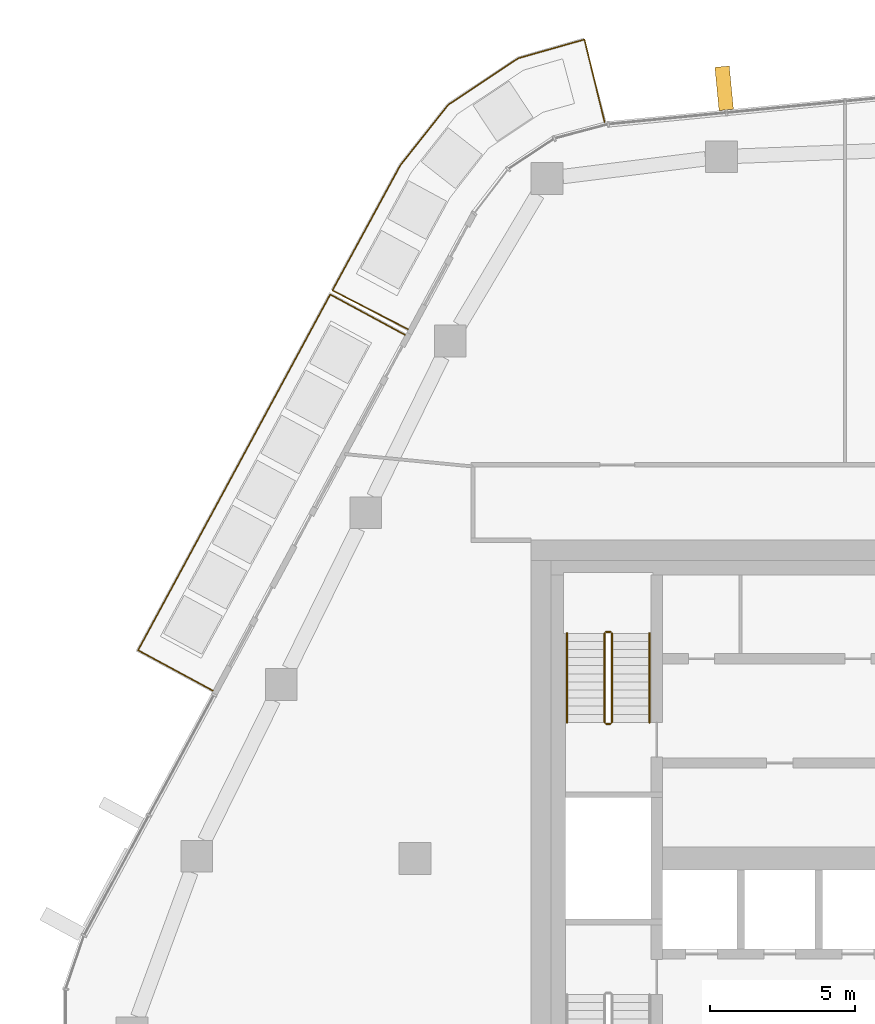
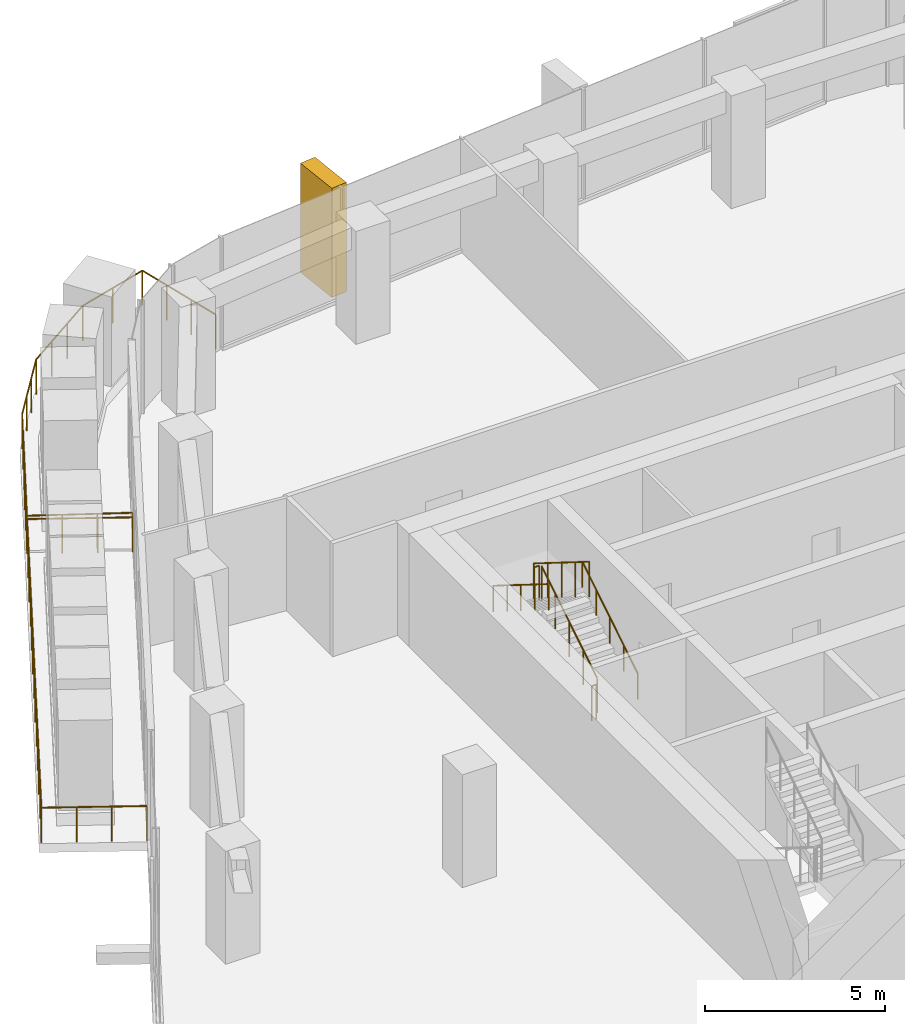
# One storey, part 18 of 20: 8 railings, 1 covering, 1 element without a shape of its own.
"""IFC4 building model written with IfcOpenShell, lengths in metres."""

from ifc_helpers import new_model, si_unit, direction, frame, origin, origin_2d, place, context, subcontext, project, spatial, rectangle, circle, extrude, material, layer, layer_set, material_profile, profile_set, type_object, element, aggregate, save


model = new_model("IFC4")

# Units and contexts
model_context = context("Model", 3, precision=1e-05, world=origin(), true_north=direction((0.0, 1.0)))
body_context = subcontext(model_context, "Body", "Model", "MODEL_VIEW")
ifc_project = project(units=[si_unit("LENGTHUNIT", "METRE"), si_unit("AREAUNIT", "SQUARE_METRE"), si_unit("VOLUMEUNIT", "CUBIC_METRE"), si_unit("PLANEANGLEUNIT", "RADIAN"), si_unit("MASSUNIT", "GRAM", prefix="KILO")], contexts=[model_context])

# Site, building, storey
site_placement = place(None, origin())
site = spatial("IfcSite", under=ifc_project, at=site_placement, CompositionType="ELEMENT")
building_placement = place(site_placement, origin())
building = spatial("IfcBuilding", under=site, at=building_placement, Name="Dongbaek Canopy Tower", CompositionType="ELEMENT")
storey_placement = place(building_placement, frame((0.0, 0.0, 258.0)))
storey = spatial("IfcBuildingStorey", under=building, at=storey_placement, Name="L54", CompositionType="ELEMENT", Elevation=258.0)

# Railings
ifc_material_1 = material(Name="Stainless steel", Category="steel")
railing_type_1 = type_object("IfcRailingType", Name="Balcony balustrade 1200", PredefinedType="BALUSTRADE", material=ifc_material_1)
railing_1_placement = place(storey_placement, frame((-18.34375, 18.087158203125, 0.0)))
element("IfcRailing", 1, at=railing_1_placement, inside=storey, type_object=railing_type_1, Name="Balcony guard L54 2", PredefinedType="BALUSTRADE", context=body_context, shape_type="SweptSolid", body=[
    extrude(circle(Radius=0.02392578125, at=origin_2d()), frame((0.0, 0.0, 1.17578125), z_axis=(-0.879899842687, 0.475159201572, 0.0), x_axis=(-0.475159201572, -0.879899842687, 0.0)), (0.0, 0.0, 1.0), 2.93994140625),
    extrude(circle(Radius=0.02392578125, at=origin_2d()), frame((-2.5869140625, 1.39697265625, 1.17578125), z_axis=(-0.475204117879, -0.879875585723, 0.0), x_axis=(0.879875585723, -0.475204117879, 0.0)), (0.0, 0.0, 1.0), 13.97021484375),
    extrude(circle(Radius=0.02392578125, at=origin_2d()), frame((-9.2255859375, -10.89501953125, 1.17578125), z_axis=(0.879899842687, -0.475159201572, 0.0), x_axis=(0.475159201572, 0.879899842687, 0.0)), (0.0, 0.0, 1.0), 2.93994140625),
    extrude(circle(Radius=0.02099609375, at=origin_2d()), origin(), (0.0, 0.0, 1.0), 1.15185546875),
    extrude(circle(Radius=0.02099609375, at=origin_2d()), frame((-0.8623046875, 0.465576171875, 0.0)), (0.0, 0.0, 1.0), 1.15185546875),
    extrude(circle(Radius=0.02099609375, at=origin_2d()), frame((-1.724609375, 0.931396484375, 0.0)), (0.0, 0.0, 1.0), 1.15185546875),
    extrude(circle(Radius=0.02099609375, at=origin_2d()), frame((-2.5869140625, 1.39697265625, 0.0)), (0.0, 0.0, 1.0), 1.15185546875),
    extrude(circle(Radius=0.02099609375, at=origin_2d()), frame((-3.14013671875, 0.37255859375, 0.0)), (0.0, 0.0, 1.0), 1.15185546875),
    extrude(circle(Radius=0.02099609375, at=origin_2d()), frame((-3.693359375, -0.651611328125, 0.0)), (0.0, 0.0, 1.0), 1.15185546875),
    extrude(circle(Radius=0.02099609375, at=origin_2d()), frame((-4.24658203125, -1.676025390625, 0.0)), (0.0, 0.0, 1.0), 1.15185546875),
    extrude(circle(Radius=0.02099609375, at=origin_2d()), frame((-4.7998046875, -2.700439453125, 0.0)), (0.0, 0.0, 1.0), 1.15185546875),
    extrude(circle(Radius=0.02099609375, at=origin_2d()), frame((-5.35302734375, -3.724609375, 0.0)), (0.0, 0.0, 1.0), 1.15185546875),
    extrude(circle(Radius=0.02099609375, at=origin_2d()), frame((-5.90625, -4.7490234375, 0.0)), (0.0, 0.0, 1.0), 1.15185546875),
    extrude(circle(Radius=0.02099609375, at=origin_2d()), frame((-6.45947265625, -5.7734375, 0.0)), (0.0, 0.0, 1.0), 1.15185546875),
    extrude(circle(Radius=0.02099609375, at=origin_2d()), frame((-7.0126953125, -6.797607421875, 0.0)), (0.0, 0.0, 1.0), 1.15185546875),
    extrude(circle(Radius=0.02099609375, at=origin_2d()), frame((-7.56591796875, -7.822021484375, 0.0)), (0.0, 0.0, 1.0), 1.15185546875),
    extrude(circle(Radius=0.02099609375, at=origin_2d()), frame((-8.119140625, -8.846435546875, 0.0)), (0.0, 0.0, 1.0), 1.15185546875),
    extrude(circle(Radius=0.02099609375, at=origin_2d()), frame((-8.67236328125, -9.87060546875, 0.0)), (0.0, 0.0, 1.0), 1.15185546875),
    extrude(circle(Radius=0.02099609375, at=origin_2d()), frame((-9.2255859375, -10.89501953125, 0.0)), (0.0, 0.0, 1.0), 1.15185546875),
    extrude(circle(Radius=0.02099609375, at=origin_2d()), frame((-8.36328125, -11.360595703125, 0.0)), (0.0, 0.0, 1.0), 1.15185546875),
    extrude(circle(Radius=0.02099609375, at=origin_2d()), frame((-7.5009765625, -11.826416015625, 0.0)), (0.0, 0.0, 1.0), 1.15185546875),
    extrude(circle(Radius=0.02099609375, at=origin_2d()), frame((-6.638671875, -12.2919921875, 0.0)), (0.0, 0.0, 1.0), 1.15185546875),
])
railing_2_placement = place(storey_placement, frame((-11.449951171875, 25.438232421875, 0.0)))
element("IfcRailing", 2, at=railing_2_placement, inside=storey, type_object=railing_type_1, Name="Balcony guard L54 6", PredefinedType="BALUSTRADE", context=body_context, shape_type="SweptSolid", body=[
    extrude(circle(Radius=0.02392578125, at=origin_2d()), frame((0.0, 0.0, 1.17578125), z_axis=(-0.237120549382, 0.971480234004, 0.0), x_axis=(-0.971480234004, -0.237120549382, 0.0)), (0.0, 0.0, 1.0), 2.940673828125),
    extrude(circle(Radius=0.02392578125, at=origin_2d()), frame((-0.697265625, 2.856689453125, 1.17578125), z_axis=(-0.962106970468, -0.272672289346, 0.0), x_axis=(0.272672289346, -0.962106970468, 0.0)), (0.0, 0.0, 1.0), 2.377197265625),
    extrude(circle(Radius=0.02392578125, at=origin_2d()), frame((-2.984375, 2.20849609375, 1.17578125), z_axis=(-0.833044753419, -0.553205602649, 0.0), x_axis=(0.553205602649, -0.833044753419, 0.0)), (0.0, 0.0, 1.0), 2.904296875),
    extrude(circle(Radius=0.02392578125, at=origin_2d()), frame((-5.40380859375, 0.601806640625, 1.17578125), z_axis=(-0.620498893161, -0.784207321813, 0.0), x_axis=(0.784207321813, -0.620498893161, 0.0)), (0.0, 0.0, 1.0), 2.66650390625),
    extrude(circle(Radius=0.02392578125, at=origin_2d()), frame((-7.058349609375, -1.4892578125, 1.17578125), z_axis=(-0.476956058282, -0.878927140592, 0.0), x_axis=(0.878927140592, -0.476956058282, 0.0)), (0.0, 0.0, 1.0), 4.919677734375),
    extrude(circle(Radius=0.02392578125, at=origin_2d()), frame((-9.40478515625, -5.813232421875, 1.17578125), z_axis=(0.889407399776, -0.457115387209, 0.0), x_axis=(0.457115387209, 0.889407399776, 0.0)), (0.0, 0.0, 1.0), 2.940673828125),
    extrude(circle(Radius=0.02099609375, at=origin_2d()), origin(), (0.0, 0.0, 1.0), 1.15185546875),
    extrude(circle(Radius=0.02099609375, at=origin_2d()), frame((-0.232421875, 0.9521484375, 0.0)), (0.0, 0.0, 1.0), 1.15185546875),
    extrude(circle(Radius=0.02099609375, at=origin_2d()), frame((-0.46484375, 1.904541015625, 0.0)), (0.0, 0.0, 1.0), 1.15185546875),
    extrude(circle(Radius=0.02099609375, at=origin_2d()), frame((-0.697265625, 2.856689453125, 0.0)), (0.0, 0.0, 1.0), 1.15185546875),
    extrude(circle(Radius=0.02099609375, at=origin_2d()), frame((-1.8408203125, 2.53271484375, 0.0)), (0.0, 0.0, 1.0), 1.15185546875),
    extrude(circle(Radius=0.02099609375, at=origin_2d()), frame((-2.984375, 2.20849609375, 0.0)), (0.0, 0.0, 1.0), 1.15185546875),
    extrude(circle(Radius=0.02099609375, at=origin_2d()), frame((-3.790771484375, 1.6728515625, 0.0)), (0.0, 0.0, 1.0), 1.15185546875),
    extrude(circle(Radius=0.02099609375, at=origin_2d()), frame((-4.597412109375, 1.137451171875, 0.0)), (0.0, 0.0, 1.0), 1.15185546875),
    extrude(circle(Radius=0.02099609375, at=origin_2d()), frame((-5.40380859375, 0.601806640625, 0.0)), (0.0, 0.0, 1.0), 1.15185546875),
    extrude(circle(Radius=0.02099609375, at=origin_2d()), frame((-5.955322265625, -0.09521484375, 0.0)), (0.0, 0.0, 1.0), 1.15185546875),
    extrude(circle(Radius=0.02099609375, at=origin_2d()), frame((-6.5068359375, -0.792236328125, 0.0)), (0.0, 0.0, 1.0), 1.15185546875),
    extrude(circle(Radius=0.02099609375, at=origin_2d()), frame((-7.058349609375, -1.4892578125, 0.0)), (0.0, 0.0, 1.0), 1.15185546875),
    extrude(circle(Radius=0.02099609375, at=origin_2d()), frame((-7.527587890625, -2.35400390625, 0.0)), (0.0, 0.0, 1.0), 1.15185546875),
    extrude(circle(Radius=0.02099609375, at=origin_2d()), frame((-7.996826171875, -3.21875, 0.0)), (0.0, 0.0, 1.0), 1.15185546875),
    extrude(circle(Radius=0.02099609375, at=origin_2d()), frame((-8.46630859375, -4.083740234375, 0.0)), (0.0, 0.0, 1.0), 1.15185546875),
    extrude(circle(Radius=0.02099609375, at=origin_2d()), frame((-8.935546875, -4.948486328125, 0.0)), (0.0, 0.0, 1.0), 1.15185546875),
    extrude(circle(Radius=0.02099609375, at=origin_2d()), frame((-9.40478515625, -5.813232421875, 0.0)), (0.0, 0.0, 1.0), 1.15185546875),
    extrude(circle(Radius=0.02099609375, at=origin_2d()), frame((-8.532958984375, -6.26123046875, 0.0)), (0.0, 0.0, 1.0), 1.15185546875),
    extrude(circle(Radius=0.02099609375, at=origin_2d()), frame((-7.6611328125, -6.70947265625, 0.0)), (0.0, 0.0, 1.0), 1.15185546875),
    extrude(circle(Radius=0.02099609375, at=origin_2d()), frame((-6.789306640625, -7.157470703125, 0.0)), (0.0, 0.0, 1.0), 1.15185546875),
])

# Curtain wall, covering
ifc_material_2 = material(Name="Aluminium 6063-T6 pale anodised", Category="aluminium")
ifc_layer = layer(ifc_material_2, 0.199951171875)
ifc_layer_set = layer_set([ifc_layer], Name="CW-1 unitised tower curtain wall")
curtain_wall_type = type_object("IfcCurtainWallType", Name="CW-1 unitised tower curtain wall", PredefinedType="NOTDEFINED", material=ifc_layer_set)
curtain_wall_placement = place(storey_placement, origin())
curtain_wall = element("IfcCurtainWall", 3, at=curtain_wall_placement, inside=storey, type_object=curtain_wall_type, Name="CW-1 curtain wall F1.1", PredefinedType="NOTDEFINED")
ifc_material_3 = material(Name="Aluminium 6063-T6 pale metal fin", Category="aluminium")
ifc_material_profile = material_profile(ifc_material_3, rectangle(XDim=1.5, YDim=0.5, at=origin_2d()), Name="Fin FN1 500 x 1500 pale metal")
ifc_profile_set = profile_set([ifc_material_profile], Name="Aluminium 6063-T6 pale metal fin")
covering_type = type_object("IfcCoveringType", Name="Fin FN1 500 x 1500 pale metal", PredefinedType="CLADDING", material=ifc_profile_set)
covering_placement = place(storey_placement, frame((-7.319580078125, 26.610107421875, 0.1201171875), z_axis=(0.0, 0.0, 1.0), x_axis=(-0.096505718384, 0.995332430055, 0.0)))
covering = element("IfcCovering", 4, at=covering_placement, type_object=covering_type, Name="Fin F1.1.5", PredefinedType="CLADDING", context=body_context, shape_type="SweptSolid", body=[
    extrude(rectangle(XDim=1.5, YDim=0.5, at=origin_2d()), origin(), (0.0, 0.0, 1.0), 3.699951171875),
])
aggregate(curtain_wall, [covering])

# Railings
ifc_material_4 = material(Name="Stainless steel tube and balusters", Category="steel")
railing_type_2 = type_object("IfcRailingType", Name="Stair guard 1200", PredefinedType="GUARDRAIL", material=ifc_material_4)
railing_3_placement = place(storey_placement, frame((-11.199951171875, 4.699951171875, 0.175048828125)))
element("IfcRailing", 5, at=railing_3_placement, inside=storey, type_object=railing_type_2, Name="L54 ST-C stair guard 1", PredefinedType="GUARDRAIL", context=body_context, shape_type="SweptSolid", body=[
    extrude(circle(Radius=0.02392578125, at=origin_2d()), frame((0.0, 0.0, 1.17578125), z_axis=(0.0, 0.847998304005, 0.529998940003), x_axis=(-1.0, 0.0, 0.0)), (0.0, 0.0, 1.0), 3.632080078125),
    extrude(circle(Radius=0.02099609375, at=origin_2d()), origin(), (0.0, 0.0, 1.0), 1.15185546875),
    extrude(circle(Radius=0.02099609375, at=origin_2d()), frame((0.0, 0.77001953125, 0.481201171875)), (0.0, 0.0, 1.0), 1.15185546875),
    extrude(circle(Radius=0.02099609375, at=origin_2d()), frame((0.0, 1.5400390625, 0.96240234375)), (0.0, 0.0, 1.0), 1.15185546875),
    extrude(circle(Radius=0.02099609375, at=origin_2d()), frame((0.0, 2.31005859375, 1.44384765625)), (0.0, 0.0, 1.0), 1.15185546875),
    extrude(circle(Radius=0.02099609375, at=origin_2d()), frame((0.0, 3.080078125, 1.925048828125)), (0.0, 0.0, 1.0), 1.15185546875),
])
railing_4_placement = place(storey_placement, frame((-11.25, 7.830078125, 2.10009765625)))
element("IfcRailing", 6, at=railing_4_placement, inside=storey, type_object=railing_type_2, Name="L54 ST-C stair guard 2", PredefinedType="GUARDRAIL", context=body_context, shape_type="SweptSolid", body=[
    extrude(circle(Radius=0.02392578125, at=origin_2d()), frame((0.0, 0.0, 1.17578125), z_axis=(-1.0, 0.0, 0.0), x_axis=(0.0, -1.0, 0.0)), (0.0, 0.0, 1.0), 0.14990234375),
    extrude(circle(Radius=0.02099609375, at=origin_2d()), origin(), (0.0, 0.0, 1.0), 1.15185546875),
    extrude(circle(Radius=0.02099609375, at=origin_2d()), frame((-0.14990234375, 0.0, 0.0)), (0.0, 0.0, 1.0), 1.15185546875),
])
railing_5_placement = place(storey_placement, frame((-11.449951171875, 7.780029296875, 2.27490234375)))
element("IfcRailing", 7, at=railing_5_placement, inside=storey, type_object=railing_type_2, Name="L54 ST-C stair guard 3", PredefinedType="GUARDRAIL", context=body_context, shape_type="SweptSolid", body=[
    extrude(circle(Radius=0.02392578125, at=origin_2d()), frame((0.0, 0.0, 1.17578125), z_axis=(0.0, -0.847998304005, 0.529998940003), x_axis=(1.0, 0.0, 0.0)), (0.0, 0.0, 1.0), 3.632080078125),
    extrude(circle(Radius=0.02099609375, at=origin_2d()), origin(), (0.0, 0.0, 1.0), 1.15185546875),
    extrude(circle(Radius=0.02099609375, at=origin_2d()), frame((0.0, -0.77001953125, 0.481201171875)), (0.0, 0.0, 1.0), 1.15185546875),
    extrude(circle(Radius=0.02099609375, at=origin_2d()), frame((0.0, -1.5400390625, 0.96240234375)), (0.0, 0.0, 1.0), 1.15185546875),
    extrude(circle(Radius=0.02099609375, at=origin_2d()), frame((0.0, -2.31005859375, 1.44384765625)), (0.0, 0.0, 1.0), 1.15185546875),
    extrude(circle(Radius=0.02099609375, at=origin_2d()), frame((0.0, -3.080078125, 1.925048828125)), (0.0, 0.0, 1.0), 1.15185546875),
])
railing_6_placement = place(storey_placement, frame((-11.25, 4.64990234375, 0.0)))
element("IfcRailing", 8, at=railing_6_placement, inside=storey, type_object=railing_type_2, Name="L54 ST-C stair guard 4", PredefinedType="GUARDRAIL", context=body_context, shape_type="SweptSolid", body=[
    extrude(circle(Radius=0.02392578125, at=origin_2d()), frame((0.0, 0.0, 1.17578125), z_axis=(-1.0, 0.0, 0.0), x_axis=(0.0, -1.0, 0.0)), (0.0, 0.0, 1.0), 0.14990234375),
    extrude(circle(Radius=0.02099609375, at=origin_2d()), origin(), (0.0, 0.0, 1.0), 1.15185546875),
    extrude(circle(Radius=0.02099609375, at=origin_2d()), frame((-0.14990234375, 0.0, 0.0)), (0.0, 0.0, 1.0), 1.15185546875),
])
ifc_material_5 = material(Name="Stainless steel tube", Category="steel")
railing_type_3 = type_object("IfcRailingType", Name="Stair handrail 900", PredefinedType="HANDRAIL", material=ifc_material_5)
railing_7_placement = place(storey_placement, frame((-9.89990234375, 4.699951171875, 0.175048828125)))
element("IfcRailing", 9, at=railing_7_placement, inside=storey, type_object=railing_type_3, Name="L54 ST-C stair handrail 1", PredefinedType="HANDRAIL", context=body_context, shape_type="SweptSolid", body=[
    extrude(circle(Radius=0.02392578125, at=origin_2d()), frame((0.0, 0.0, 0.8759765625), z_axis=(0.0, 0.847998304005, 0.529998940003), x_axis=(-1.0, 0.0, 0.0)), (0.0, 0.0, 1.0), 3.632080078125),
    extrude(circle(Radius=0.02099609375, at=origin_2d()), origin(), (0.0, 0.0, 1.0), 0.851806640625),
    extrude(circle(Radius=0.02099609375, at=origin_2d()), frame((0.0, 0.77001953125, 0.481201171875)), (0.0, 0.0, 1.0), 0.851806640625),
    extrude(circle(Radius=0.02099609375, at=origin_2d()), frame((0.0, 1.5400390625, 0.96240234375)), (0.0, 0.0, 1.0), 0.851806640625),
    extrude(circle(Radius=0.02099609375, at=origin_2d()), frame((0.0, 2.31005859375, 1.44384765625)), (0.0, 0.0, 1.0), 0.851806640625),
    extrude(circle(Radius=0.02099609375, at=origin_2d()), frame((0.0, 3.080078125, 1.925048828125)), (0.0, 0.0, 1.0), 0.851806640625),
])
railing_8_placement = place(storey_placement, frame((-12.75, 7.780029296875, 2.27490234375)))
element("IfcRailing", 10, at=railing_8_placement, inside=storey, type_object=railing_type_3, Name="L54 ST-C stair handrail 2", PredefinedType="HANDRAIL", context=body_context, shape_type="SweptSolid", body=[
    extrude(circle(Radius=0.02392578125, at=origin_2d()), frame((0.0, 0.0, 0.8759765625), z_axis=(0.0, -0.847998304005, 0.529998940003), x_axis=(1.0, 0.0, 0.0)), (0.0, 0.0, 1.0), 3.632080078125),
    extrude(circle(Radius=0.02099609375, at=origin_2d()), origin(), (0.0, 0.0, 1.0), 0.851806640625),
    extrude(circle(Radius=0.02099609375, at=origin_2d()), frame((0.0, -0.77001953125, 0.481201171875)), (0.0, 0.0, 1.0), 0.851806640625),
    extrude(circle(Radius=0.02099609375, at=origin_2d()), frame((0.0, -1.5400390625, 0.96240234375)), (0.0, 0.0, 1.0), 0.851806640625),
    extrude(circle(Radius=0.02099609375, at=origin_2d()), frame((0.0, -2.31005859375, 1.44384765625)), (0.0, 0.0, 1.0), 0.851806640625),
    extrude(circle(Radius=0.02099609375, at=origin_2d()), frame((0.0, -3.080078125, 1.925048828125)), (0.0, 0.0, 1.0), 0.851806640625),
])

save(model, "model.ifc")
